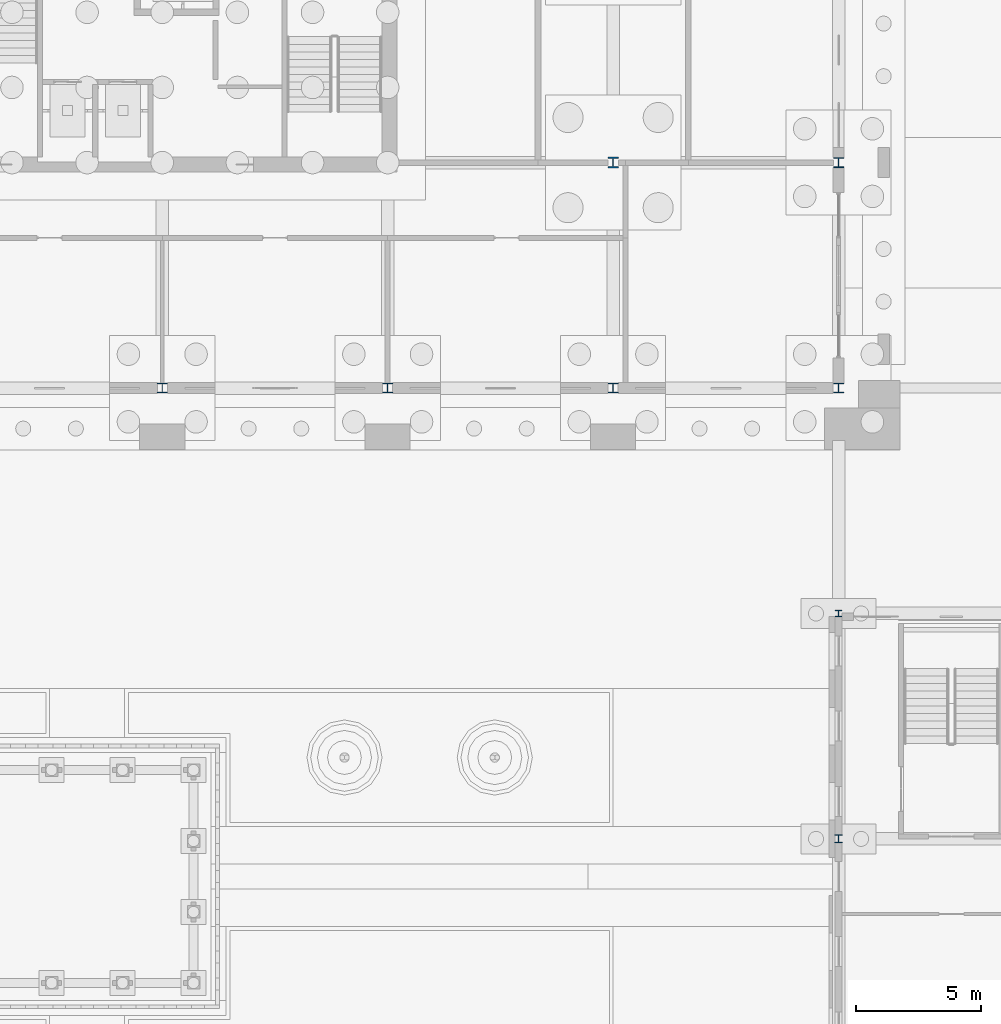
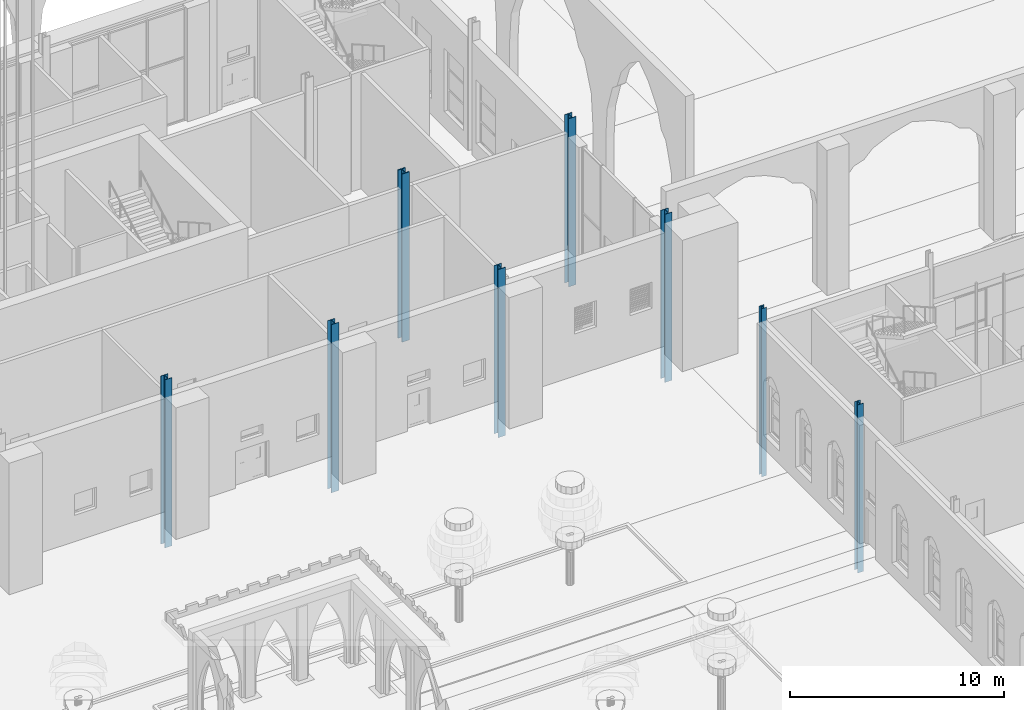
# One storey, part 15 of 250: 8 columns.
"""IFC4 building model written with IfcOpenShell, lengths in metres."""

from ifc_helpers import new_model, si_unit, direction, frame, origin, origin_2d, place, context, subcontext, project, spatial, i_section, extrude, material, material_profile, profile_set, type_object, element, save


model = new_model("IFC4")

# Units and contexts
model_context = context("Model", 3, precision=1e-05, world=origin(), true_north=direction((0.0, 1.0)))
body_context = subcontext(model_context, "Body", "Model", "MODEL_VIEW")
ifc_project = project(units=[si_unit("LENGTHUNIT", "METRE"), si_unit("AREAUNIT", "SQUARE_METRE"), si_unit("VOLUMEUNIT", "CUBIC_METRE"), si_unit("PLANEANGLEUNIT", "RADIAN"), si_unit("MASSUNIT", "GRAM", prefix="KILO")], contexts=[model_context])

# Site, building, storey
site_placement = place(None, origin())
site = spatial("IfcSite", under=ifc_project, at=site_placement, CompositionType="ELEMENT")
building_placement = place(site_placement, origin())
building = spatial("IfcBuilding", under=site, at=building_placement, Name="Baradari Gate Terminus", CompositionType="ELEMENT")
storey_placement = place(building_placement, origin())
storey = spatial("IfcBuildingStorey", under=building, at=storey_placement, Name="L00", CompositionType="ELEMENT", Elevation=0.0)

# Columns
ifc_material_1 = material(Name="Steel S355", Category="steel")
ifc_material_profile_1 = material_profile(ifc_material_1, i_section(OverallWidth=0.307373046875, OverallDepth=0.314453125, WebThickness=0.011962890625, FlangeThickness=0.018798828125, FilletRadius=0.01513671875, at=origin_2d()), Name="UC 305x305x118")
ifc_profile_set_1 = profile_set([ifc_material_profile_1], Name="Steel S355")
column_type_1 = type_object("IfcColumnType", Name="Head-house column C07 UC 305x305x118", PredefinedType="COLUMN", material=ifc_profile_set_1)
column_1_placement = place(storey_placement, frame((63.0, 99.0, -2.10009765625), z_axis=(0.0, 0.0, 1.0), x_axis=(1.0, 0.0, 0.0)))
element("IfcColumn", 1, at=column_1_placement, inside=storey, type_object=column_type_1, Name="C07 column 8-M L00", PredefinedType="COLUMN", context=body_context, shape_type="SweptSolid", body=[
    extrude(i_section(OverallWidth=0.307373046875, OverallDepth=0.314453125, WebThickness=0.011962890625, FlangeThickness=0.018798828125, FilletRadius=0.01513671875, at=origin_2d()), origin(), (0.0, 0.0, 1.0), 9.60009765625),
])
ifc_material_2 = material(Name="Steel S355", Category="steel")
ifc_material_profile_2 = material_profile(ifc_material_2, i_section(OverallWidth=0.25634765625, OverallDepth=0.26025390625, WebThickness=0.01025390625, FlangeThickness=0.017333984375, FilletRadius=0.0126953125, at=origin_2d()), Name="UC 254x254x89")
ifc_profile_set_2 = profile_set([ifc_material_profile_2], Name="Steel S355")
column_type_2 = type_object("IfcColumnType", Name="Head-house facade column C08 UC 254x254x89", PredefinedType="COLUMN", material=ifc_profile_set_2)
column_2_placement = place(storey_placement, frame((63.0, 108.0, -2.10009765625), z_axis=(0.0, 0.0, 1.0), x_axis=(1.0, 0.0, 0.0)))
element("IfcColumn", 2, at=column_2_placement, inside=storey, type_object=column_type_2, Name="C08 column 8-N L00", PredefinedType="COLUMN", context=body_context, shape_type="SweptSolid", body=[
    extrude(i_section(OverallWidth=0.25634765625, OverallDepth=0.26025390625, WebThickness=0.01025390625, FlangeThickness=0.017333984375, FilletRadius=0.0126953125, at=origin_2d()), origin(), (0.0, 0.0, 1.0), 9.60009765625),
])
ifc_material_3 = material(Name="Steel S355", Category="steel")
ifc_material_profile_3 = material_profile(ifc_material_3, i_section(OverallWidth=0.412109375, OverallDepth=0.4365234375, WebThickness=0.035888671875, FlangeThickness=0.05810546875, FilletRadius=0.01513671875, at=origin_2d()), Name="UC 356x406x467")
ifc_profile_set_3 = profile_set([ifc_material_profile_3], Name="Steel S355")
column_type_3 = type_object("IfcColumnType", Name="Operations block column C02 UC 356x406x467", PredefinedType="COLUMN", material=ifc_profile_set_3)
column_3_placement = place(storey_placement, frame((54.0, 126.0, -2.10009765625), z_axis=(0.0, 0.0, 1.0), x_axis=(1.0, 0.0, 0.0)))
element("IfcColumn", 3, at=column_3_placement, inside=storey, type_object=column_type_3, Name="C02 column 7-Q L00", PredefinedType="COLUMN", context=body_context, shape_type="SweptSolid", body=[
    extrude(i_section(OverallWidth=0.412109375, OverallDepth=0.4365234375, WebThickness=0.035888671875, FlangeThickness=0.05810546875, FilletRadius=0.01513671875, at=origin_2d()), origin(), (0.0, 0.0, 1.0), 9.60009765625),
])
ifc_material_4 = material(Name="Steel S355", Category="steel")
ifc_material_profile_4 = material_profile(ifc_material_4, i_section(OverallWidth=0.39892578125, OverallDepth=0.3935546875, WebThickness=0.015869140625, FlangeThickness=0.02490234375, FilletRadius=0.01513671875, at=origin_2d()), Name="UC 356x406x287")
ifc_profile_set_4 = profile_set([ifc_material_profile_4], Name="Steel S355")
column_type_4 = type_object("IfcColumnType", Name="Operations block perimeter column C01 UC 356x406x287", PredefinedType="COLUMN", material=ifc_profile_set_4)
for number, where, z_axis, x_axis, name in (
    (4, (36.0, 117.0, -2.10009765625), (0.0, 0.0, 1.0), (1.0, 0.0, 0.0), "C01 column 5-P L00"),
    (5, (45.0, 117.0, -2.10009765625), (0.0, 0.0, 1.0), (1.0, 0.0, 0.0), "C01 column 6-P L00"),
    (6, (54.0, 117.0, -2.10009765625), (0.0, 0.0, 1.0), (1.0, 0.0, 0.0), "C01 column 7-P L00"),
    (7, (63.0, 117.0, -2.10009765625), (0.0, 0.0, 1.0), (1.0, 0.0, 0.0), "C01 column 8-P L00"),
    (8, (63.0, 126.0, -2.10009765625), (0.0, 0.0, 1.0), (1.0, 0.0, 0.0), "C01 column 8-Q L00"),
):
    element("IfcColumn", number, at=place(storey_placement, frame(where, z_axis=z_axis, x_axis=x_axis)), inside=storey, type_object=column_type_4, Name=name, PredefinedType="COLUMN", context=body_context, shape_type="SweptSolid", body=[
        extrude(i_section(OverallWidth=0.39892578125, OverallDepth=0.3935546875, WebThickness=0.015869140625, FlangeThickness=0.02490234375, FilletRadius=0.01513671875, at=origin_2d()), origin(), (0.0, 0.0, 1.0), 9.60009765625),
    ])

save(model, "model.ifc")
